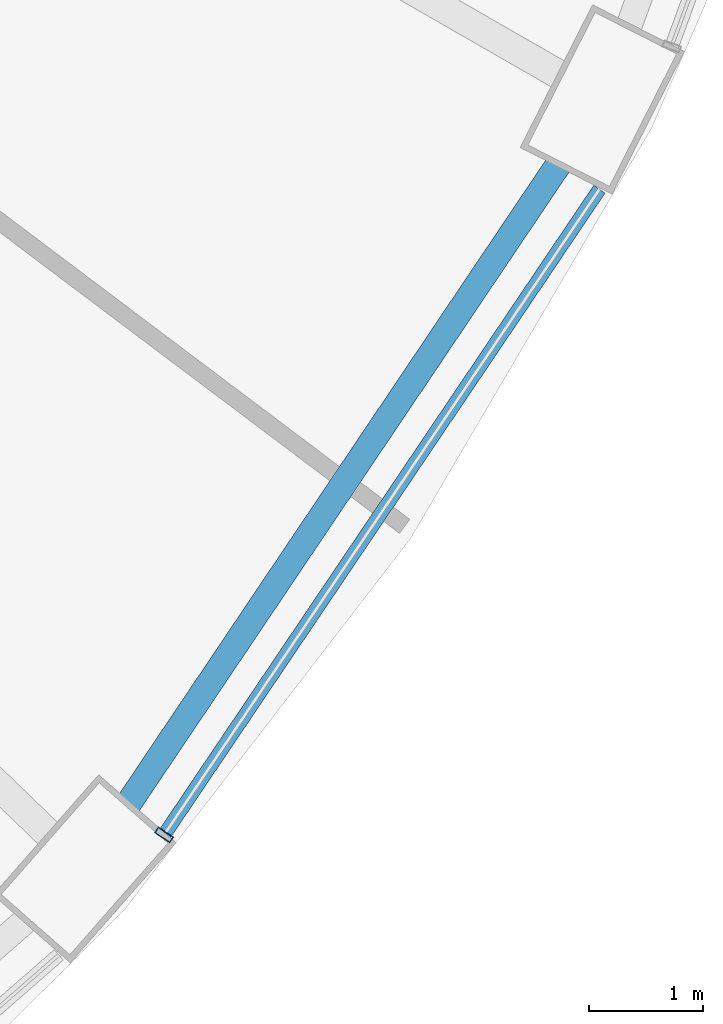
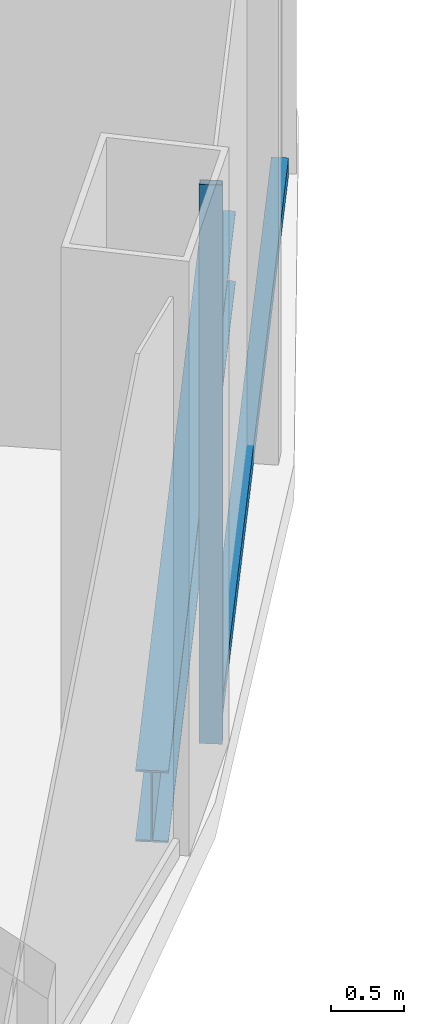
# One storey, part 13 of 48: 2 members, 1 beam, 1 element without a shape of its own.
"""IFC4 building model written with IfcOpenShell, lengths in metres."""

from ifc_helpers import new_model, si_unit, direction, frame, origin, origin_2d, place, context, subcontext, project, spatial, hollow_rectangle, i_section, extrude, material, layer, layer_set, material_profile, profile_set, type_object, element, aggregate, save


model = new_model("IFC4")

# Units and contexts
model_context = context("Model", 3, precision=1e-05, world=origin(), true_north=direction((0.0, 1.0)))
body_context = subcontext(model_context, "Body", "Model", "MODEL_VIEW")
ifc_project = project(units=[si_unit("LENGTHUNIT", "METRE"), si_unit("AREAUNIT", "SQUARE_METRE"), si_unit("VOLUMEUNIT", "CUBIC_METRE"), si_unit("PLANEANGLEUNIT", "RADIAN"), si_unit("MASSUNIT", "GRAM", prefix="KILO")], contexts=[model_context])

# Site, building, storey
site_placement = place(None, origin())
site = spatial("IfcSite", under=ifc_project, at=site_placement, CompositionType="ELEMENT")
building_placement = place(site_placement, origin())
building = spatial("IfcBuilding", under=site, at=building_placement, Name="Nagisa Residences", CompositionType="ELEMENT")
storey_placement = place(building_placement, frame((0.0, 0.0, 12.0)))
storey = spatial("IfcBuildingStorey", under=building, at=storey_placement, Name="L02", CompositionType="ELEMENT", Elevation=12.0)

# Curtain wall, members
ifc_material_1 = material(Name="Stainless steel curtain wall system", Category="steel")
ifc_layer = layer(ifc_material_1, 0.159912109375)
ifc_layer_set = layer_set([ifc_layer], Name="CW6 CURTAIN WALL")
curtain_wall_type = type_object("IfcCurtainWallType", Name="CW6 CURTAIN WALL", PredefinedType="NOTDEFINED", material=ifc_layer_set)
curtain_wall_placement = place(storey_placement, origin())
curtain_wall = element("IfcCurtainWall", 1, at=curtain_wall_placement, inside=storey, type_object=curtain_wall_type, Name="cw:CW6:L02:42", PredefinedType="NOTDEFINED")
ifc_material_2 = material(Name="Stainless steel", Category="steel")
ifc_material_profile_1 = material_profile(ifc_material_2, hollow_rectangle(XDim=0.159912109375, YDim=0.06005859375, WallThickness=0.006103515625, at=origin_2d()), Name="CW6 MULLION 160x60")
ifc_profile_set_1 = profile_set([ifc_material_profile_1], Name="Stainless steel")
member_type_1 = type_object("IfcMemberType", Name="CW6 MULLION 160x60", PredefinedType="MULLION", material=ifc_profile_set_1)
member_1_placement = place(storey_placement, frame((24.447998046875, -22.6845703125, 0.0), z_axis=(0.0, 0.0, 1.0), x_axis=(-0.829110926393, 0.559084136544, 0.0)))
member_1 = element("IfcMember", 2, at=member_1_placement, type_object=member_type_1, Name="CW6 mullion", PredefinedType="MULLION", context=body_context, shape_type="SweptSolid", body=[
    extrude(hollow_rectangle(XDim=0.159912109375, YDim=0.06005859375, WallThickness=0.006103515625, at=origin_2d()), origin(), (0.0, 0.0, 1.0), 4.699951171875),
])
ifc_material_3 = material(Name="Stainless steel", Category="steel")
ifc_material_profile_2 = material_profile(ifc_material_3, hollow_rectangle(XDim=0.1201171875, YDim=0.14990234375, WallThickness=0.008056640625, at=origin_2d()), Name="CW6 TRANSOM 120x150")
ifc_profile_set_2 = profile_set([ifc_material_profile_2], Name="Stainless steel")
member_type_2 = type_object("IfcMemberType", Name="CW6 TRANSOM 120x150", PredefinedType="USERDEFINED", material=ifc_profile_set_2)
member_2_placement = place(storey_placement, frame((24.43115234375, -22.70947265625, 0.074951171875), z_axis=(0.559080645991, 0.829113280124, 0.0), x_axis=(-0.829113280124, 0.559080645991, 0.0)))
member_2 = element("IfcMember", 3, at=member_2_placement, type_object=member_type_2, Name="CW6 transom", ObjectType="TRANSOM", PredefinedType="USERDEFINED", context=body_context, shape_type="SweptSolid", body=[
    extrude(hollow_rectangle(XDim=0.1201171875, YDim=0.14990234375, WallThickness=0.008056640625, at=origin_2d()), origin(), (0.0, 0.0, 1.0), 6.84326171875),
])
aggregate(curtain_wall, [member_1, member_2])

# Beam
ifc_material_4 = material(Name="Steel ASTM A572 Gr 50", Category="steel")
ifc_material_profile_3 = material_profile(ifc_material_4, i_section(OverallWidth=0.22802734375, OverallDepth=0.60302734375, WebThickness=0.010498046875, FlangeThickness=0.014892578125, at=origin_2d()), Name="W610x101")
ifc_profile_set_3 = profile_set([ifc_material_profile_3], Name="Steel ASTM A572 Gr 50")
beam_type = type_object("IfcBeamType", Name="Perimeter ring beam W610x101", PredefinedType="BEAM", material=ifc_profile_set_3)
beam_placement = place(storey_placement, frame((24.135498046875, -22.411865234375, -0.6015625), z_axis=(0.558271879663, 0.829658067144, 0.0), x_axis=(-0.829658067144, 0.558271879663, 0.0)))
element("IfcBeam", 4, at=beam_placement, inside=storey, type_object=beam_type, Name="beam:L02:pb22", PredefinedType="BEAM", context=body_context, shape_type="SweptSolid", body=[
    extrude(i_section(OverallWidth=0.22802734375, OverallDepth=0.60302734375, WebThickness=0.010498046875, FlangeThickness=0.014892578125, at=origin_2d()), origin(), (0.0, 0.0, 1.0), 6.74169921875),
])

save(model, "model.ifc")
